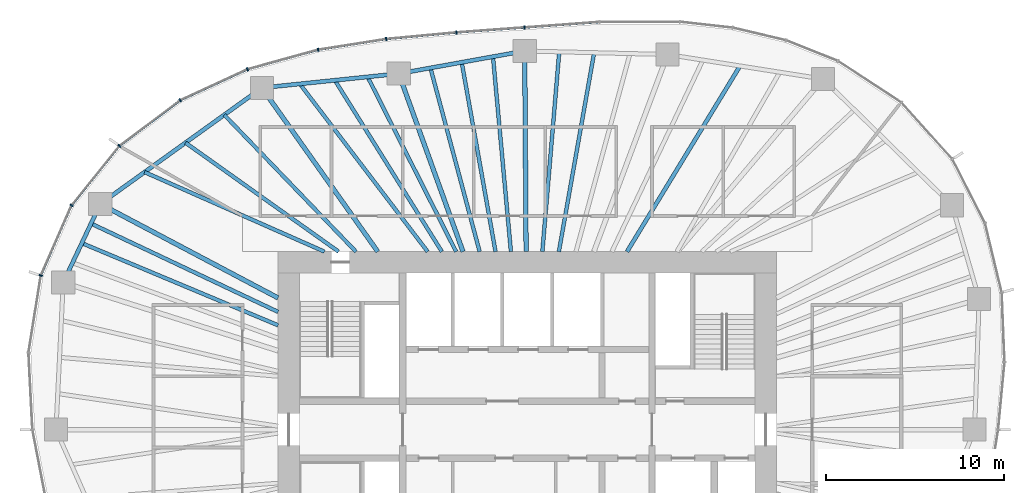
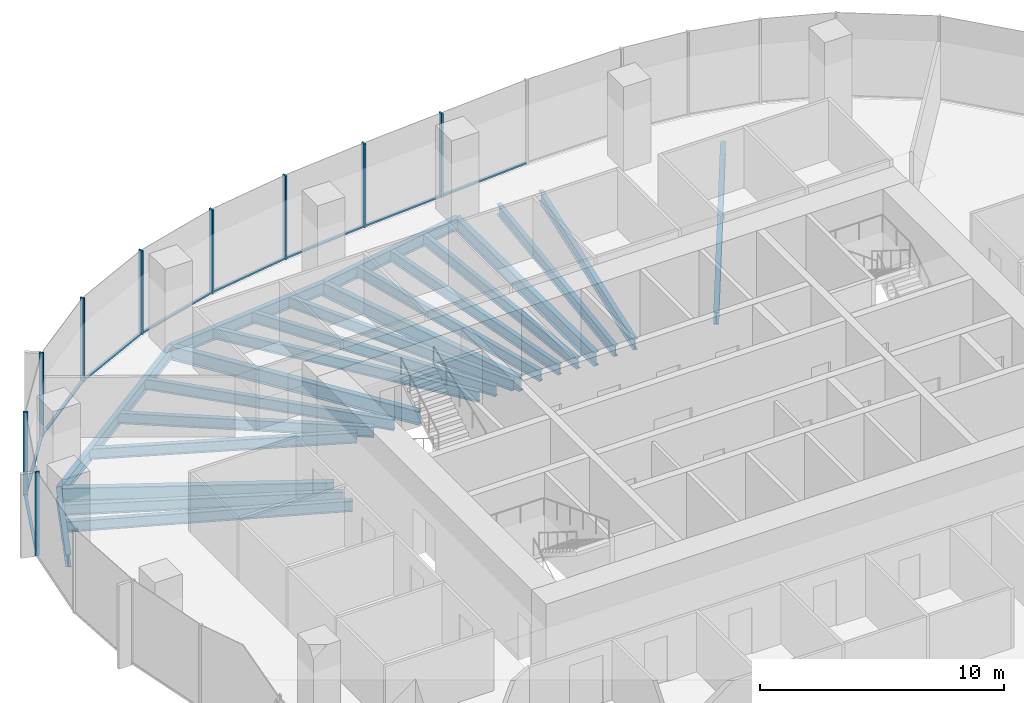
# One storey, part 5 of 12: 22 beams, 18 members, 6 elements without a shape of their own.
"""IFC4 building model written with IfcOpenShell, lengths in metres."""

from ifc_helpers import new_model, si_unit, direction, frame, origin, origin_2d, place, context, subcontext, project, spatial, rectangle, i_section, extrude, material, material_profile, profile_set, type_object, element, aggregate, save


model = new_model("IFC4")

# Units and contexts
model_context = context("Model", 3, precision=1e-05, world=origin(), true_north=direction((0.0, 1.0)))
body_context = subcontext(model_context, "Body", "Model", "MODEL_VIEW")
ifc_project = project(units=[si_unit("LENGTHUNIT", "METRE"), si_unit("AREAUNIT", "SQUARE_METRE"), si_unit("VOLUMEUNIT", "CUBIC_METRE"), si_unit("PLANEANGLEUNIT", "RADIAN"), si_unit("MASSUNIT", "GRAM", prefix="KILO")], contexts=[model_context])

# Site, building, storey
site_placement = place(None, origin())
site = spatial("IfcSite", under=ifc_project, at=site_placement, CompositionType="ELEMENT")
building_placement = place(site_placement, origin())
building = spatial("IfcBuilding", under=site, at=building_placement, Name="Ghaith Harvest Tower", CompositionType="ELEMENT")
storey_placement = place(building_placement, frame((0.0, 0.0, 207.39990234375)))
storey = spatial("IfcBuildingStorey", under=building, at=storey_placement, Name="L45", CompositionType="ELEMENT", Elevation=207.39990234375)

# Curtain wall, members
ifc_material_1 = material(Name="Black anodised aluminium and fritted glass", Category="aluminium")
curtain_wall_type = type_object("IfcCurtainWallType", Name="CW-H CURTAIN WALL", PredefinedType="NOTDEFINED", material=ifc_material_1)
curtain_wall_1_placement = place(storey_placement, origin())
curtain_wall_1 = element("IfcCurtainWall", 1, at=curtain_wall_1_placement, inside=storey, type_object=curtain_wall_type, Name="Curtain wall CW-H bay 06 L45", PredefinedType="NOTDEFINED")
ifc_material_2 = material(Name="Aluminium, black anodised", Category="aluminium")
ifc_material_profile_1 = material_profile(ifc_material_2, rectangle(XDim=0.080078125, YDim=0.199951171875, at=origin_2d()), Name="CW-H MULLION 80x200")
ifc_profile_set_1 = profile_set([ifc_material_profile_1], Name="Aluminium, black anodised")
member_type_1 = type_object("IfcMemberType", Name="CW-H MULLION 80x200", PredefinedType="MULLION", material=ifc_profile_set_1)
member_1_placement = place(storey_placement, frame((-0.154541015625, 22.590576171875, 0.0), z_axis=(0.0, 0.0, 1.0), x_axis=(-0.997329249665, -0.073036756239, 0.0)))
member_1 = element("IfcMember", 2, at=member_1_placement, type_object=member_type_1, Name="CW-H mullion 1 bay 06 L45", PredefinedType="MULLION", context=body_context, shape_type="SweptSolid", body=[
    extrude(rectangle(XDim=0.080078125, YDim=0.199951171875, at=origin_2d()), origin(), (0.0, 0.0, 1.0), 4.2001953125),
])
member_2_placement = place(storey_placement, frame((-3.984375, 22.310302734375, 0.0), z_axis=(0.0, 0.0, 1.0), x_axis=(-0.996522526822, -0.083323787336, 0.0)))
member_2 = element("IfcMember", 3, at=member_2_placement, type_object=member_type_1, Name="CW-H mullion 2 bay 06 L45", PredefinedType="MULLION", context=body_context, shape_type="SweptSolid", body=[
    extrude(rectangle(XDim=0.080078125, YDim=0.199951171875, at=origin_2d()), origin(), (0.0, 0.0, 1.0), 4.2001953125),
])

curtain_wall_2_placement = place(storey_placement, origin())
curtain_wall_2 = element("IfcCurtainWall", 4, at=curtain_wall_2_placement, inside=storey, type_object=curtain_wall_type, Name="Curtain wall CW-H bay 07 L45", PredefinedType="NOTDEFINED")
member_3_placement = place(storey_placement, frame((-7.924560546875, 21.94091796875, 0.0), z_axis=(0.0, 0.0, 1.0), x_axis=(-0.992235485325, -0.124373396119, 0.0)))
member_3 = element("IfcMember", 5, at=member_3_placement, type_object=member_type_1, Name="CW-H mullion 1 bay 07 L45", PredefinedType="MULLION", context=body_context, shape_type="SweptSolid", body=[
    extrude(rectangle(XDim=0.080078125, YDim=0.199951171875, at=origin_2d()), origin(), (0.0, 0.0, 1.0), 4.2001953125),
])
member_4_placement = place(storey_placement, frame((-11.75244140625, 21.336669921875, 0.0), z_axis=(0.0, 0.0, 1.0), x_axis=(-0.977086484172, -0.212842670646, 0.0)))
member_4 = element("IfcMember", 6, at=member_4_placement, type_object=member_type_1, Name="CW-H mullion 2 bay 07 L45", PredefinedType="MULLION", context=body_context, shape_type="SweptSolid", body=[
    extrude(rectangle(XDim=0.080078125, YDim=0.199951171875, at=origin_2d()), origin(), (0.0, 0.0, 1.0), 4.2001953125),
])

curtain_wall_3_placement = place(storey_placement, origin())
curtain_wall_3 = element("IfcCurtainWall", 7, at=curtain_wall_3_placement, inside=storey, type_object=curtain_wall_type, Name="Curtain wall CW-H bay 08 L45", PredefinedType="NOTDEFINED")
member_5_placement = place(storey_placement, frame((-15.720947265625, 20.242431640625, 0.0), z_axis=(0.0, 0.0, 1.0), x_axis=(-0.938930986476, -0.344105510906, 0.0)))
member_5 = element("IfcMember", 8, at=member_5_placement, type_object=member_type_1, Name="CW-H mullion 1 bay 08 L45", PredefinedType="MULLION", context=body_context, shape_type="SweptSolid", body=[
    extrude(rectangle(XDim=0.080078125, YDim=0.199951171875, at=origin_2d()), origin(), (0.0, 0.0, 1.0), 4.2001953125),
])
member_6_placement = place(storey_placement, frame((-19.4951171875, 18.4990234375, 0.0), z_axis=(0.0, 0.0, 1.0), x_axis=(-0.857998754004, -0.513651767376, 0.0)))
member_6 = element("IfcMember", 9, at=member_6_placement, type_object=member_type_1, Name="CW-H mullion 2 bay 08 L45", PredefinedType="MULLION", context=body_context, shape_type="SweptSolid", body=[
    extrude(rectangle(XDim=0.080078125, YDim=0.199951171875, at=origin_2d()), origin(), (0.0, 0.0, 1.0), 4.2001953125),
])

curtain_wall_4_placement = place(storey_placement, origin())
curtain_wall_4 = element("IfcCurtainWall", 10, at=curtain_wall_4_placement, inside=storey, type_object=curtain_wall_type, Name="Curtain wall CW-H bay 09 L45", PredefinedType="NOTDEFINED")
member_7_placement = place(storey_placement, frame((-22.908203125, 15.939697265625, 0.0), z_axis=(0.0, 0.0, 1.0), x_axis=(-0.719146135082, -0.694858860774, 0.0)))
member_7 = element("IfcMember", 11, at=member_7_placement, type_object=member_type_1, Name="CW-H mullion 1 bay 09 L45", PredefinedType="MULLION", context=body_context, shape_type="SweptSolid", body=[
    extrude(rectangle(XDim=0.080078125, YDim=0.199951171875, at=origin_2d()), origin(), (0.0, 0.0, 1.0), 4.2001953125),
])
member_8_placement = place(storey_placement, frame((-25.599609375, 12.6005859375, 0.0), z_axis=(0.0, 0.0, 1.0), x_axis=(-0.518769201232, -0.854914332464, 0.0)))
member_8 = element("IfcMember", 12, at=member_8_placement, type_object=member_type_1, Name="CW-H mullion 2 bay 09 L45", PredefinedType="MULLION", context=body_context, shape_type="SweptSolid", body=[
    extrude(rectangle(XDim=0.080078125, YDim=0.199951171875, at=origin_2d()), origin(), (0.0, 0.0, 1.0), 4.2001953125),
])

# Curtain wall, member
curtain_wall_5_placement = place(storey_placement, origin())
curtain_wall_5 = element("IfcCurtainWall", 13, at=curtain_wall_5_placement, inside=storey, type_object=curtain_wall_type, Name="Curtain wall CW-H bay 10 L45", PredefinedType="NOTDEFINED")
member_9_placement = place(storey_placement, frame((-27.32568359375, 8.659912109375, 0.0), z_axis=(0.0, 0.0, 1.0), x_axis=(-0.280520268431, -0.959848102045, 0.0)))
member_9 = element("IfcMember", 14, at=member_9_placement, type_object=member_type_1, Name="CW-H mullion 1 bay 10 L45", PredefinedType="MULLION", context=body_context, shape_type="SweptSolid", body=[
    extrude(rectangle(XDim=0.080078125, YDim=0.199951171875, at=origin_2d()), origin(), (0.0, 0.0, 1.0), 4.2001953125),
])
aggregate(curtain_wall_5, [member_9])

curtain_wall_6_placement = place(storey_placement, origin())
curtain_wall_6 = element("IfcCurtainWall", 15, at=curtain_wall_6_placement, inside=storey, type_object=curtain_wall_type, Name="Curtain wall CW-H bay 05 L45", PredefinedType="NOTDEFINED")
ifc_material_3 = material(Name="Aluminium, black anodised", Category="aluminium")
ifc_material_profile_2 = material_profile(ifc_material_3, rectangle(XDim=0.1298828125, YDim=0.080078125, at=origin_2d()), Name="CW-H TRANSOM 130x80")
ifc_profile_set_2 = profile_set([ifc_material_profile_2], Name="Aluminium, black anodised")
member_type_2 = type_object("IfcMemberType", Name="CW-H TRANSOM 130x80", PredefinedType="USERDEFINED", material=ifc_profile_set_2)
member_10_placement = place(storey_placement, frame((4.01953125, 22.896484375, 0.0400390625), z_axis=(-0.997325457985, -0.07308851384, 0.0), x_axis=(0.07308851384, -0.997325457985, 0.0)))
member_10 = element("IfcMember", 16, at=member_10_placement, type_object=member_type_2, Name="CW-H transom 2 bay 05 L45", ObjectType="TRANSOM", PredefinedType="USERDEFINED", context=body_context, shape_type="SweptSolid", body=[
    extrude(rectangle(XDim=0.1298828125, YDim=0.080078125, at=origin_2d()), origin(), (0.0, 0.0, 1.0), 4.145263671875),
])
aggregate(curtain_wall_6, [member_10])

# Member
member_11_placement = place(storey_placement, frame((-0.194580078125, 22.587646484375, 0.0400390625), z_axis=(-0.997332916649, -0.072986665689, 0.0), x_axis=(0.072986665689, -0.997332916649, 0.0)))
member_11 = element("IfcMember", 17, at=member_11_placement, type_object=member_type_2, Name="CW-H transom 1 bay 06 L45", ObjectType="TRANSOM", PredefinedType="USERDEFINED", context=body_context, shape_type="SweptSolid", body=[
    extrude(rectangle(XDim=0.1298828125, YDim=0.080078125, at=origin_2d()), origin(), (0.0, 0.0, 1.0), 3.759765625),
])

member_12_placement = place(storey_placement, frame((-4.024169921875, 22.306640625, 0.0400390625), z_axis=(-0.995631116984, -0.093373866217, 0.0), x_axis=(0.093373866217, -0.995631116984, 0.0)))
member_12 = element("IfcMember", 18, at=member_12_placement, type_object=member_type_2, Name="CW-H transom 2 bay 06 L45", ObjectType="TRANSOM", PredefinedType="USERDEFINED", context=body_context, shape_type="SweptSolid", body=[
    extrude(rectangle(XDim=0.1298828125, YDim=0.080078125, at=origin_2d()), origin(), (0.0, 0.0, 1.0), 3.87744140625),
])

aggregate(curtain_wall_1, [member_1, member_11, member_2, member_12])

member_13_placement = place(storey_placement, frame((-7.964111328125, 21.9345703125, 0.0400390625), z_axis=(-0.98776765914, -0.155932843097, 0.0), x_axis=(0.155932843097, -0.98776765914, 0.0)))
member_13 = element("IfcMember", 19, at=member_13_placement, type_object=member_type_2, Name="CW-H transom 1 bay 07 L45", ObjectType="TRANSOM", PredefinedType="USERDEFINED", context=body_context, shape_type="SweptSolid", body=[
    extrude(rectangle(XDim=0.1298828125, YDim=0.080078125, at=origin_2d()), origin(), (0.0, 0.0, 1.0), 3.795166015625),
])

member_14_placement = place(storey_placement, frame((-11.791015625, 21.325927734375, 0.0400390625), z_axis=(-0.964038584245, -0.265762315024, 0.0), x_axis=(0.265762315024, -0.964038584245, 0.0)))
member_14 = element("IfcMember", 20, at=member_14_placement, type_object=member_type_2, Name="CW-H transom 2 bay 07 L45", ObjectType="TRANSOM", PredefinedType="USERDEFINED", context=body_context, shape_type="SweptSolid", body=[
    extrude(rectangle(XDim=0.1298828125, YDim=0.080078125, at=origin_2d()), origin(), (0.0, 0.0, 1.0), 4.03662109375),
])

aggregate(curtain_wall_2, [member_3, member_13, member_4, member_14])

member_15_placement = place(storey_placement, frame((-15.75732421875, 20.2255859375, 0.0400390625), z_axis=(-0.907831404762, -0.419335355686, 0.0), x_axis=(0.419335355686, -0.907831404762, 0.0)))
member_15 = element("IfcMember", 21, at=member_15_placement, type_object=member_type_2, Name="CW-H transom 1 bay 08 L45", ObjectType="TRANSOM", PredefinedType="USERDEFINED", context=body_context, shape_type="SweptSolid", body=[
    extrude(rectangle(XDim=0.1298828125, YDim=0.080078125, at=origin_2d()), origin(), (0.0, 0.0, 1.0), 4.0771484375),
])

member_16_placement = place(storey_placement, frame((-19.527099609375, 18.47509765625, 0.0400390625), z_axis=(-0.800041988873, -0.599944010755, 0.0), x_axis=(0.599944010755, -0.800041988873, 0.0)))
member_16 = element("IfcMember", 22, at=member_16_placement, type_object=member_type_2, Name="CW-H transom 2 bay 08 L45", ObjectType="TRANSOM", PredefinedType="USERDEFINED", context=body_context, shape_type="SweptSolid", body=[
    extrude(rectangle(XDim=0.1298828125, YDim=0.080078125, at=origin_2d()), origin(), (0.0, 0.0, 1.0), 4.186279296875),
])

aggregate(curtain_wall_3, [member_5, member_15, member_6, member_16])

member_17_placement = place(storey_placement, frame((-22.933349609375, 15.90869140625, 0.0400390625), z_axis=(-0.6275347306, -0.778588570357, 0.0), x_axis=(0.778588570357, -0.6275347306, 0.0)))
member_17 = element("IfcMember", 23, at=member_17_placement, type_object=member_type_2, Name="CW-H transom 1 bay 09 L45", ObjectType="TRANSOM", PredefinedType="USERDEFINED", context=body_context, shape_type="SweptSolid", body=[
    extrude(rectangle(XDim=0.1298828125, YDim=0.080078125, at=origin_2d()), origin(), (0.0, 0.0, 1.0), 4.208740234375),
])

member_18_placement = place(storey_placement, frame((-25.61572265625, 12.56396484375, 0.0400390625), z_axis=(-0.401185844746, -0.915996680112, 0.0), x_axis=(0.915996680112, -0.401185844746, 0.0)))
member_18 = element("IfcMember", 24, at=member_18_placement, type_object=member_type_2, Name="CW-H transom 2 bay 09 L45", ObjectType="TRANSOM", PredefinedType="USERDEFINED", context=body_context, shape_type="SweptSolid", body=[
    extrude(rectangle(XDim=0.1298828125, YDim=0.080078125, at=origin_2d()), origin(), (0.0, 0.0, 1.0), 4.22216796875),
])

aggregate(curtain_wall_4, [member_7, member_17, member_8, member_18])

# Beams
ifc_material_4 = material(Name="Steel ASTM A992 Grade 50", Category="steel")
ifc_material_profile_3 = material_profile(ifc_material_4, i_section(OverallWidth=0.22900390625, OverallDepth=0.612060546875, WebThickness=0.011962890625, FlangeThickness=0.01953125, at=origin_2d()), Name="W610X125")
ifc_profile_set_3 = profile_set([ifc_material_profile_3], Name="Steel ASTM A992 Grade 50")
beam_type_1 = type_object("IfcBeamType", Name="E610-125 W610X125", PredefinedType="SPANDREL", material=ifc_profile_set_3)
beam_1_placement = place(storey_placement, frame((-0.14599609375, 21.27099609375, -0.475830078125), z_axis=(-0.984177047684, -0.177187863051, 0.0), x_axis=(0.177187863051, -0.984177047684, 0.0)))
element("IfcBeam", 25, at=beam_1_placement, inside=storey, type_object=beam_type_1, Name="Edge beam E06 L45", PredefinedType="SPANDREL", context=body_context, shape_type="SweptSolid", body=[
    extrude(i_section(OverallWidth=0.22900390625, OverallDepth=0.612060546875, WebThickness=0.011962890625, FlangeThickness=0.01953125, at=origin_2d()), origin(), (0.0, 0.0, 1.0), 7.189697265625),
])
beam_2_placement = place(storey_placement, frame((-7.221923828125, 19.9970703125, -0.475830078125), z_axis=(-0.994669141618, -0.103117887451, 0.0), x_axis=(0.103117887451, -0.994669141618, 0.0)))
element("IfcBeam", 26, at=beam_2_placement, inside=storey, type_object=beam_type_1, Name="Edge beam E07 L45", PredefinedType="SPANDREL", context=body_context, shape_type="SweptSolid", body=[
    extrude(i_section(OverallWidth=0.22900390625, OverallDepth=0.612060546875, WebThickness=0.011962890625, FlangeThickness=0.01953125, at=origin_2d()), origin(), (0.0, 0.0, 1.0), 7.730224609375),
])
beam_3_placement = place(storey_placement, frame((-14.910888671875, 19.199951171875, -0.475830078125), z_axis=(-0.812050311838, -0.583587432219, 0.0), x_axis=(0.583587432219, -0.812050311838, 0.0)))
element("IfcBeam", 27, at=beam_3_placement, inside=storey, type_object=beam_type_1, Name="Edge beam E08 L45", PredefinedType="SPANDREL", context=body_context, shape_type="SweptSolid", body=[
    extrude(i_section(OverallWidth=0.22900390625, OverallDepth=0.612060546875, WebThickness=0.011962890625, FlangeThickness=0.01953125, at=origin_2d()), origin(), (0.0, 0.0, 1.0), 11.175537109375),
])
beam_4_placement = place(storey_placement, frame((-23.986083984375, 12.677978515625, -0.475830078125), z_axis=(-0.426170247297, -0.904642979478, 0.0), x_axis=(0.904642979478, -0.426170247297, 0.0)))
element("IfcBeam", 28, at=beam_4_placement, inside=storey, type_object=beam_type_1, Name="Edge beam E09 L45", PredefinedType="SPANDREL", context=body_context, shape_type="SweptSolid", body=[
    extrude(i_section(OverallWidth=0.22900390625, OverallDepth=0.612060546875, WebThickness=0.011962890625, FlangeThickness=0.01953125, at=origin_2d()), origin(), (0.0, 0.0, 1.0), 4.882568359375),
])
ifc_material_5 = material(Name="Steel ASTM A992 Grade 50", Category="steel")
ifc_material_profile_4 = material_profile(ifc_material_5, i_section(OverallWidth=0.256103515625, OverallDepth=0.693115234375, WebThickness=0.014404296875, FlangeThickness=0.023681640625, at=origin_2d()), Name="W690X170")
ifc_profile_set_4 = profile_set([ifc_material_profile_4], Name="Steel ASTM A992 Grade 50")
beam_type_2 = type_object("IfcBeamType", Name="G690-170 W690X170", PredefinedType="BEAM", material=ifc_profile_set_4)
beam_5_placement = place(storey_placement, frame((-0.068359375, 10.0, -0.516357421875), z_axis=(-0.006888022705, 0.99997627729, 0.0), x_axis=(-0.99997627729, -0.006888022705, 0.0)))
element("IfcBeam", 29, at=beam_5_placement, inside=storey, type_object=beam_type_2, Name="Radial girder G06 L45", PredefinedType="BEAM", context=body_context, shape_type="SweptSolid", body=[
    extrude(i_section(OverallWidth=0.256103515625, OverallDepth=0.693115234375, WebThickness=0.014404296875, FlangeThickness=0.023681640625, at=origin_2d()), origin(), (0.0, 0.0, 1.0), 11.271240234375),
])
beam_6_placement = place(storey_placement, frame((-3.61181640625, 10.0, -0.516357421875), z_axis=(-0.339648979266, 0.940552269086, 0.0), x_axis=(-0.940552269086, -0.339648979266, 0.0)))
element("IfcBeam", 30, at=beam_6_placement, inside=storey, type_object=beam_type_2, Name="Radial girder G07 L45", PredefinedType="BEAM", context=body_context, shape_type="SweptSolid", body=[
    extrude(i_section(OverallWidth=0.256103515625, OverallDepth=0.693115234375, WebThickness=0.014404296875, FlangeThickness=0.023681640625, at=origin_2d()), origin(), (0.0, 0.0, 1.0), 10.62890625),
])
beam_7_placement = place(storey_placement, frame((-8.39990234375, 10.0, -0.516357421875), z_axis=(-0.577683734365, 0.816260683268, 0.0), x_axis=(-0.816260683268, -0.577683734365, 0.0)))
element("IfcBeam", 31, at=beam_7_placement, inside=storey, type_object=beam_type_2, Name="Radial girder G08 L45", PredefinedType="BEAM", context=body_context, shape_type="SweptSolid", body=[
    extrude(i_section(OverallWidth=0.256103515625, OverallDepth=0.693115234375, WebThickness=0.014404296875, FlangeThickness=0.023681640625, at=origin_2d()), origin(), (0.0, 0.0, 1.0), 11.270751953125),
])
beam_8_placement = place(storey_placement, frame((-14.0, 7.39990234375, -0.516357421875), z_axis=(-0.884105273337, 0.467287776062, 0.0), x_axis=(-0.467287776062, -0.884105273337, 0.0)))
element("IfcBeam", 32, at=beam_8_placement, inside=storey, type_object=beam_type_2, Name="Radial girder G09 L45", PredefinedType="BEAM", context=body_context, shape_type="SweptSolid", body=[
    extrude(i_section(OverallWidth=0.256103515625, OverallDepth=0.693115234375, WebThickness=0.014404296875, FlangeThickness=0.023681640625, at=origin_2d()), origin(), (0.0, 0.0, 1.0), 11.295166015625),
])
ifc_material_6 = material(Name="Steel ASTM A992 Grade 50", Category="steel")
ifc_material_profile_5 = material_profile(ifc_material_6, i_section(OverallWidth=0.2109375, OverallDepth=0.5390625, WebThickness=0.01171875, FlangeThickness=0.018798828125, at=origin_2d()), Name="W530X109")
ifc_profile_set_5 = profile_set([ifc_material_profile_5], Name="Steel ASTM A992 Grade 50")
beam_type_3 = type_object("IfcBeamType", Name="J530-109 W530X109", PredefinedType="JOIST", material=ifc_profile_set_5)
beam_9_placement = place(storey_placement, frame((1.772705078125, 10.0, -0.439453125), z_axis=(0.17455599258, 0.984647249249, 0.0), x_axis=(-0.984647249249, 0.17455599258, 0.0)))
element("IfcBeam", 33, at=beam_9_placement, inside=storey, type_object=beam_type_3, Name="Joist J05.2 L45", PredefinedType="JOIST", context=body_context, shape_type="SweptSolid", body=[
    extrude(i_section(OverallWidth=0.2109375, OverallDepth=0.5390625, WebThickness=0.01171875, FlangeThickness=0.018798828125, at=origin_2d()), origin(), (0.0, 0.0, 1.0), 11.3486328125),
])
beam_10_placement = place(storey_placement, frame((0.844970703125, 10.0, -0.439453125), z_axis=(0.084213263804, 0.996447753873, 0.0), x_axis=(-0.996447753873, 0.084213263804, 0.0)))
element("IfcBeam", 34, at=beam_10_placement, inside=storey, type_object=beam_type_3, Name="Joist J05.3 L45", PredefinedType="JOIST", context=body_context, shape_type="SweptSolid", body=[
    extrude(i_section(OverallWidth=0.2109375, OverallDepth=0.5390625, WebThickness=0.01171875, FlangeThickness=0.018798828125, at=origin_2d()), origin(), (0.0, 0.0, 1.0), 11.262939453125),
])
beam_11_placement = place(storey_placement, frame((-0.92041015625, 10.0, -0.439453125), z_axis=(-0.091648687045, 0.995791402937, 0.0), x_axis=(-0.995791402937, -0.091648687045, 0.0)))
element("IfcBeam", 35, at=beam_11_placement, inside=storey, type_object=beam_type_3, Name="Joist J06.1 L45", PredefinedType="JOIST", context=body_context, shape_type="SweptSolid", body=[
    extrude(i_section(OverallWidth=0.2109375, OverallDepth=0.5390625, WebThickness=0.01171875, FlangeThickness=0.018798828125, at=origin_2d()), origin(), (0.0, 0.0, 1.0), 10.99658203125),
])
beam_12_placement = place(storey_placement, frame((-1.785888671875, 10.0, -0.439453125), z_axis=(-0.175793767479, 0.984427016754, 0.0), x_axis=(-0.984427016754, -0.175793767479, 0.0)))
element("IfcBeam", 36, at=beam_12_placement, inside=storey, type_object=beam_type_3, Name="Joist J06.2 L45", PredefinedType="JOIST", context=body_context, shape_type="SweptSolid", body=[
    extrude(i_section(OverallWidth=0.2109375, OverallDepth=0.5390625, WebThickness=0.01171875, FlangeThickness=0.018798828125, at=origin_2d()), origin(), (0.0, 0.0, 1.0), 10.802001953125),
])
beam_13_placement = place(storey_placement, frame((-2.677978515625, 10.0, -0.439453125), z_axis=(-0.258674007994, 0.965964677195, 0.0), x_axis=(-0.965964677195, -0.258674007994, 0.0)))
element("IfcBeam", 37, at=beam_13_placement, inside=storey, type_object=beam_type_3, Name="Joist J06.3 L45", PredefinedType="JOIST", context=body_context, shape_type="SweptSolid", body=[
    extrude(i_section(OverallWidth=0.2109375, OverallDepth=0.5390625, WebThickness=0.01171875, FlangeThickness=0.018798828125, at=origin_2d()), origin(), (0.0, 0.0, 1.0), 10.68115234375),
])
beam_14_placement = place(storey_placement, frame((-4.0, 10.0, -0.439453125), z_axis=(-0.451646219201, 0.892197115374, 0.0), x_axis=(-0.892197115374, -0.451646219201, 0.0)))
element("IfcBeam", 38, at=beam_14_placement, inside=storey, type_object=beam_type_3, Name="Joist J07.1 L45", PredefinedType="JOIST", context=body_context, shape_type="SweptSolid", body=[
    extrude(i_section(OverallWidth=0.2109375, OverallDepth=0.5390625, WebThickness=0.01171875, FlangeThickness=0.018798828125, at=origin_2d()), origin(), (0.0, 0.0, 1.0), 11.001953125),
])
beam_15_placement = place(storey_placement, frame((-4.800048828125, 10.0, -0.439453125), z_axis=(-0.529627564093, 0.848230300893, 0.0), x_axis=(-0.848230300893, -0.529627564093, 0.0)))
element("IfcBeam", 39, at=beam_15_placement, inside=storey, type_object=beam_type_3, Name="Joist J07.2 L45", PredefinedType="JOIST", context=body_context, shape_type="SweptSolid", body=[
    extrude(i_section(OverallWidth=0.2109375, OverallDepth=0.5390625, WebThickness=0.01171875, FlangeThickness=0.018798828125, at=origin_2d()), origin(), (0.0, 0.0, 1.0), 11.34716796875),
])
beam_16_placement = place(storey_placement, frame((-5.60009765625, 10.0, -0.439453125), z_axis=(-0.605976135502, 0.795482823952, 0.0), x_axis=(-0.795482823952, -0.605976135502, 0.0)))
element("IfcBeam", 40, at=beam_16_placement, inside=storey, type_object=beam_type_3, Name="Joist J07.3 L45", PredefinedType="JOIST", context=body_context, shape_type="SweptSolid", body=[
    extrude(i_section(OverallWidth=0.2109375, OverallDepth=0.5390625, WebThickness=0.01171875, FlangeThickness=0.018798828125, at=origin_2d()), origin(), (0.0, 0.0, 1.0), 11.84326171875),
])
beam_17_placement = place(storey_placement, frame((-9.626708984375, 10.0, -0.439453125), z_axis=(-0.69354049188, 0.720417647009, 0.0), x_axis=(-0.720417647009, -0.69354049188, 0.0)))
element("IfcBeam", 41, at=beam_17_placement, inside=storey, type_object=beam_type_3, Name="Joist J08.1 L45", PredefinedType="JOIST", context=body_context, shape_type="SweptSolid", body=[
    extrude(i_section(OverallWidth=0.2109375, OverallDepth=0.5390625, WebThickness=0.01171875, FlangeThickness=0.018798828125, at=origin_2d()), origin(), (0.0, 0.0, 1.0), 10.6640625),
])
beam_18_placement = place(storey_placement, frame((-10.60009765625, 10.0, -0.439453125), z_axis=(-0.814837070547, 0.579690045164, 0.0), x_axis=(-0.579690045164, -0.814837070547, 0.0)))
element("IfcBeam", 42, at=beam_18_placement, inside=storey, type_object=beam_type_3, Name="Joist J08.2 L45", PredefinedType="JOIST", context=body_context, shape_type="SweptSolid", body=[
    extrude(i_section(OverallWidth=0.2109375, OverallDepth=0.5390625, WebThickness=0.01171875, FlangeThickness=0.018798828125, at=origin_2d()), origin(), (0.0, 0.0, 1.0), 10.5537109375),
])
beam_19_placement = place(storey_placement, frame((-11.39990234375, 10.0, -0.439453125), z_axis=(-0.914561290029, 0.40444733499, 0.0), x_axis=(-0.40444733499, -0.914561290029, 0.0)))
element("IfcBeam", 43, at=beam_19_placement, inside=storey, type_object=beam_type_3, Name="Joist J08.3 L45", PredefinedType="JOIST", context=body_context, shape_type="SweptSolid", body=[
    extrude(i_section(OverallWidth=0.2109375, OverallDepth=0.5390625, WebThickness=0.01171875, FlangeThickness=0.018798828125, at=origin_2d()), origin(), (0.0, 0.0, 1.0), 11.041748046875),
])
beam_20_placement = place(storey_placement, frame((-14.0, 6.614990234375, -0.439453125), z_axis=(-0.904154184779, 0.427206285238, 0.0), x_axis=(-0.427206285238, -0.904154184779, 0.0)))
element("IfcBeam", 44, at=beam_20_placement, inside=storey, type_object=beam_type_3, Name="Joist J09.1 L45", PredefinedType="JOIST", context=body_context, shape_type="SweptSolid", body=[
    extrude(i_section(OverallWidth=0.2109375, OverallDepth=0.5390625, WebThickness=0.01171875, FlangeThickness=0.018798828125, at=origin_2d()), origin(), (0.0, 0.0, 1.0), 11.61767578125),
])
beam_21_placement = place(storey_placement, frame((-14.0, 5.862548828125, -0.439453125), z_axis=(-0.922380898158, 0.386281605455, 0.0), x_axis=(-0.386281605455, -0.922380898158, 0.0)))
element("IfcBeam", 45, at=beam_21_placement, inside=storey, type_object=beam_type_3, Name="Joist J09.2 L45", PredefinedType="JOIST", context=body_context, shape_type="SweptSolid", body=[
    extrude(i_section(OverallWidth=0.2109375, OverallDepth=0.5390625, WebThickness=0.01171875, FlangeThickness=0.018798828125, at=origin_2d()), origin(), (0.0, 0.0, 1.0), 11.94970703125),
])
ifc_material_7 = material(Name="Steel ASTM A992 Grade 50", Category="steel")
ifc_material_profile_6 = material_profile(ifc_material_7, i_section(OverallWidth=0.22900390625, OverallDepth=0.612060546875, WebThickness=0.011962890625, FlangeThickness=0.01953125, at=origin_2d()), Name="W610X125")
ifc_profile_set_6 = profile_set([ifc_material_profile_6], Name="Steel ASTM A992 Grade 50")
beam_type_4 = type_object("IfcBeamType", Name="J610-125 W610X125", PredefinedType="JOIST", material=ifc_profile_set_6)
beam_22_placement = place(storey_placement, frame((5.60009765625, 10.0, -0.475830078125), z_axis=(0.519863845761, 0.854249133374, 0.0), x_axis=(-0.854249133374, 0.519863845761, 0.0)))
element("IfcBeam", 46, at=beam_22_placement, inside=storey, type_object=beam_type_4, Name="Joist J04.2 L45", PredefinedType="JOIST", context=body_context, shape_type="SweptSolid", body=[
    extrude(i_section(OverallWidth=0.22900390625, OverallDepth=0.612060546875, WebThickness=0.011962890625, FlangeThickness=0.01953125, at=origin_2d()), origin(), (0.0, 0.0, 1.0), 12.209716796875),
])

save(model, "model.ifc")
